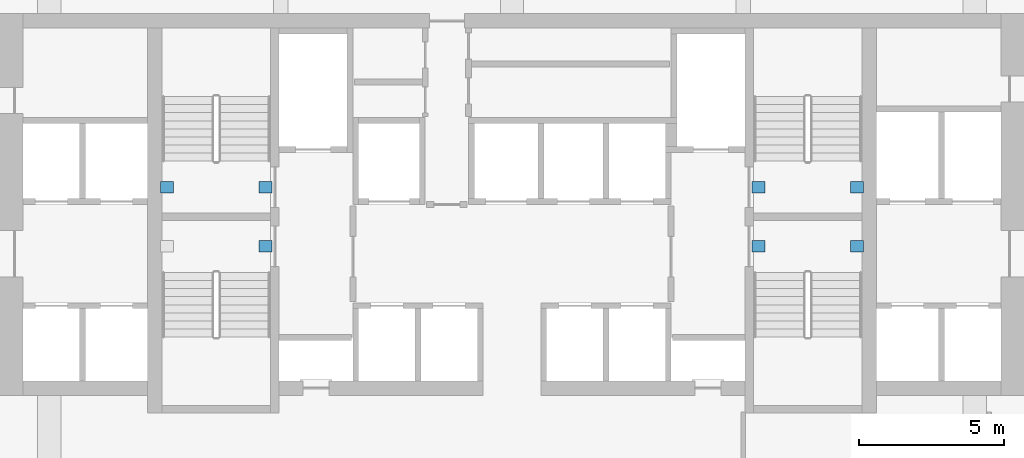
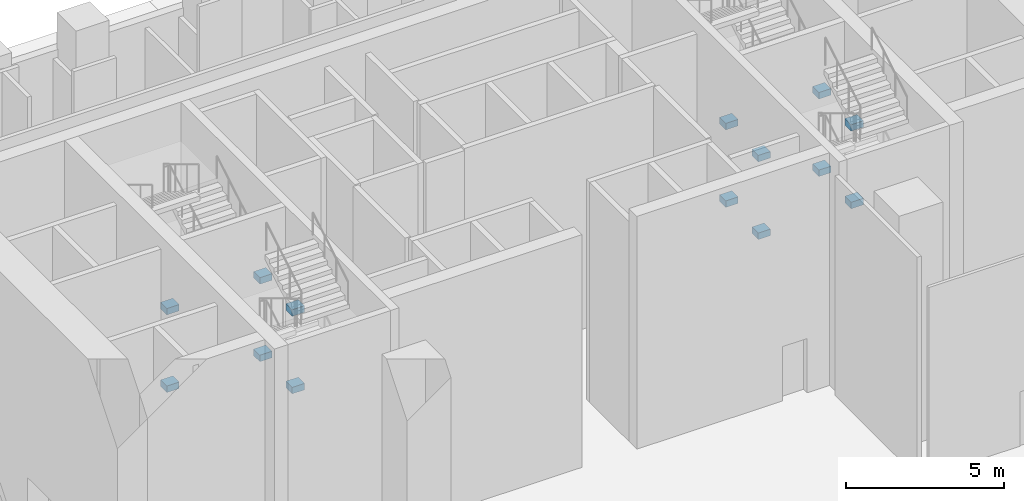
# One storey, part 12 of 51: 14 beams.
"""IFC4 building model written with IfcOpenShell, lengths in metres."""

from ifc_helpers import new_model, si_unit, direction, frame, origin, origin_2d, place, context, subcontext, project, spatial, rectangle, extrude, material, material_profile, profile_set, type_object, element, save


model = new_model("IFC4")

# Units and contexts
model_context = context("Model", 3, precision=1e-05, world=origin(), true_north=direction((0.0, 1.0)))
body_context = subcontext(model_context, "Body", "Model", "MODEL_VIEW")
ifc_project = project(units=[si_unit("LENGTHUNIT", "METRE"), si_unit("AREAUNIT", "SQUARE_METRE"), si_unit("VOLUMEUNIT", "CUBIC_METRE"), si_unit("PLANEANGLEUNIT", "RADIAN"), si_unit("MASSUNIT", "GRAM", prefix="KILO")], contexts=[model_context])

# Site, building, storey
site_placement = place(None, origin())
site = spatial("IfcSite", under=ifc_project, at=site_placement, CompositionType="ELEMENT")
building_placement = place(site_placement, origin())
building = spatial("IfcBuilding", under=site, at=building_placement, Name="Calabash Gate Tower", CompositionType="ELEMENT")
storey_placement = place(building_placement, origin())
storey = spatial("IfcBuildingStorey", under=building, at=storey_placement, Name="L00", CompositionType="ELEMENT", Elevation=0.0)

# Beams
ifc_material = material(Name="Concrete C60/75", Category="concrete")
ifc_material_profile = material_profile(ifc_material, rectangle(XDim=0.39990234375, YDim=0.25, at=origin_2d()))
ifc_profile_set = profile_set([ifc_material_profile], Name="Concrete C60/75")
beam_type = type_object("IfcBeamType", Name="Landing corbel RC 400x250 Concrete C60/75", PredefinedType="BEAM", material=ifc_profile_set)
for number, where, z_axis, x_axis, name in (
    (1, (-12.14990234375, 13.052978515625, 2.674072265625), (1.0, 0.0, 0.0), (0.0, 1.0, 0.0), "Landing corbel ST1-L00/L2 west"),
    (2, (-8.300048828125, 13.052978515625, 2.674072265625), (-1.0, 0.0, 0.0), (0.0, -1.0, 0.0), "Landing corbel ST1-L00/L2 east"),
    (3, (-12.14990234375, 13.052978515625, 5.674072265625), (1.0, 0.0, 0.0), (0.0, 1.0, 0.0), "Landing corbel ST1-L00/L4 west"),
    (4, (-8.300048828125, 13.052978515625, 5.674072265625), (-1.0, 0.0, 0.0), (0.0, -1.0, 0.0), "Landing corbel ST1-L00/L4 east"),
    (5, (-8.300048828125, 11.0029296875, 2.674072265625), (-1.0, 0.0, 0.0), (0.0, -1.0, 0.0), "Landing corbel ST2-L00/L2 east"),
    (6, (-8.300048828125, 11.0029296875, 5.674072265625), (-1.0, 0.0, 0.0), (0.0, -1.0, 0.0), "Landing corbel ST2-L00/L4 east"),
    (7, (8.300048828125, 13.052978515625, 2.674072265625), (1.0, 0.0, 0.0), (0.0, 1.0, 0.0), "Landing corbel ST3-L00/L2 west"),
    (8, (12.14990234375, 13.052978515625, 2.674072265625), (-1.0, 0.0, 0.0), (0.0, -1.0, 0.0), "Landing corbel ST3-L00/L2 east"),
    (9, (8.300048828125, 13.052978515625, 5.674072265625), (1.0, 0.0, 0.0), (0.0, 1.0, 0.0), "Landing corbel ST3-L00/L4 west"),
    (10, (12.14990234375, 13.052978515625, 5.674072265625), (-1.0, 0.0, 0.0), (0.0, -1.0, 0.0), "Landing corbel ST3-L00/L4 east"),
    (11, (8.300048828125, 11.0029296875, 2.674072265625), (1.0, 0.0, 0.0), (0.0, 1.0, 0.0), "Landing corbel ST4-L00/L2 west"),
    (12, (12.14990234375, 11.0029296875, 2.674072265625), (-1.0, 0.0, 0.0), (0.0, -1.0, 0.0), "Landing corbel ST4-L00/L2 east"),
    (13, (8.300048828125, 11.0029296875, 5.674072265625), (1.0, 0.0, 0.0), (0.0, 1.0, 0.0), "Landing corbel ST4-L00/L4 west"),
    (14, (12.14990234375, 11.0029296875, 5.674072265625), (-1.0, 0.0, 0.0), (0.0, -1.0, 0.0), "Landing corbel ST4-L00/L4 east"),
):
    element("IfcBeam", number, at=place(storey_placement, frame(where, z_axis=z_axis, x_axis=x_axis)), inside=storey, type_object=beam_type, Name=name, PredefinedType="BEAM", context=body_context, shape_type="SweptSolid", body=[
        extrude(rectangle(XDim=0.39990234375, YDim=0.25, at=origin_2d()), origin(), (0.0, 0.0, 1.0), 0.449951171875),
    ])

save(model, "model.ifc")
